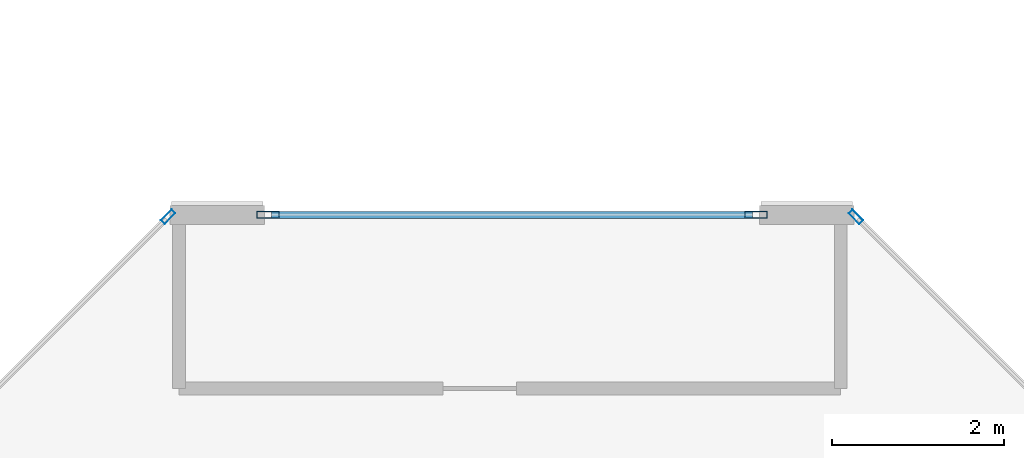
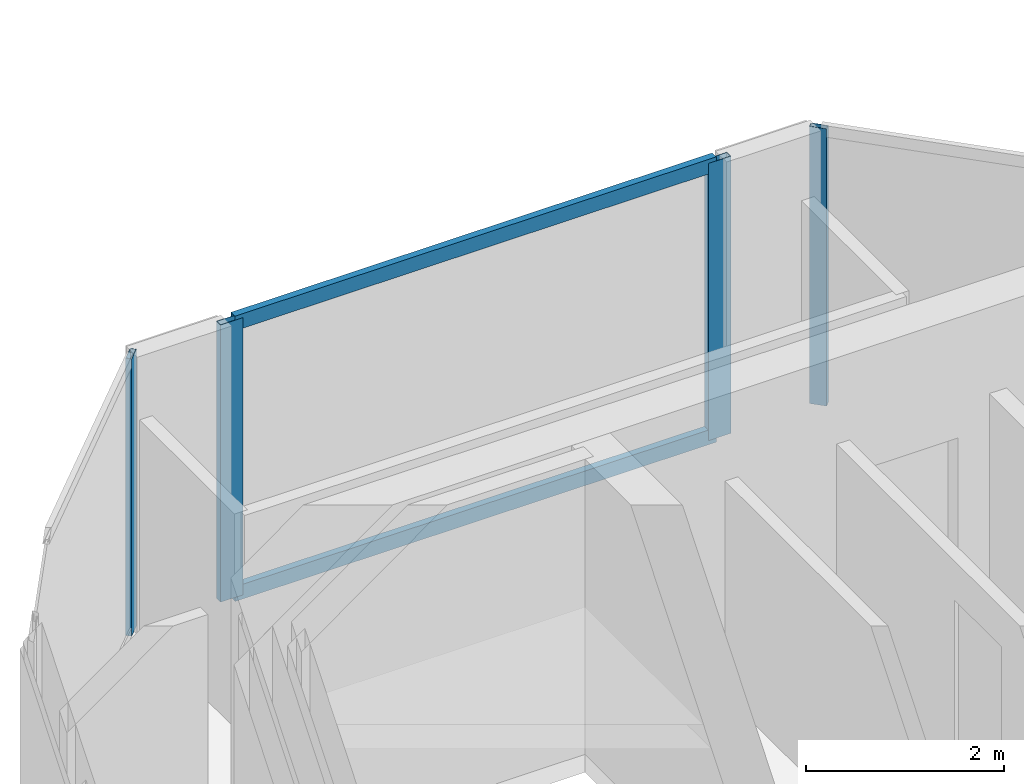
# One storey, part 13 of 30: 6 members, 3 elements without a shape of their own.
"""IFC4 building model written with IfcOpenShell, lengths in metres."""

from ifc_helpers import new_model, si_unit, direction, frame, origin, origin_2d, place, context, subcontext, project, spatial, hollow_rectangle, extrude, material, layer, layer_set, material_profile, profile_set, type_object, element, aggregate, save


model = new_model("IFC4")

# Units and contexts
model_context = context("Model", 3, precision=1e-05, world=origin(), true_north=direction((0.0, 1.0)))
body_context = subcontext(model_context, "Body", "Model", "MODEL_VIEW")
ifc_project = project(units=[si_unit("LENGTHUNIT", "METRE"), si_unit("AREAUNIT", "SQUARE_METRE"), si_unit("VOLUMEUNIT", "CUBIC_METRE"), si_unit("PLANEANGLEUNIT", "RADIAN"), si_unit("MASSUNIT", "GRAM", prefix="KILO")], contexts=[model_context])

# Site, building, storey
site_placement = place(None, origin())
site = spatial("IfcSite", under=ifc_project, at=site_placement, CompositionType="ELEMENT")
building_placement = place(site_placement, origin())
building = spatial("IfcBuilding", under=site, at=building_placement, Name="Tanjung Sevakor Pilgrim Tower", CompositionType="ELEMENT")
storey_placement = place(building_placement, frame((0.0, 0.0, 253.43994140625)))
storey = spatial("IfcBuildingStorey", under=building, at=storey_placement, Name="L71", CompositionType="ELEMENT", Elevation=253.43994140625)

# Curtain wall, member
ifc_material_1 = material(Name="Aluminium 6063-T6 and Low-E Glass", Category="aluminium")
ifc_layer_1 = layer(ifc_material_1, 0.179931640625)
ifc_layer_set_1 = layer_set([ifc_layer_1], Name="CW-SYS-CHAM")
curtain_wall_type_1 = type_object("IfcCurtainWallType", Name="CW-SYS-CHAM", PredefinedType="NOTDEFINED", material=ifc_layer_set_1)
curtain_wall_1_placement = place(storey_placement, origin())
curtain_wall_1 = element("IfcCurtainWall", 1, at=curtain_wall_1_placement, inside=storey, type_object=curtain_wall_type_1, Name="L71 Curtain Wall CW-CHM-L71-WEST-3", PredefinedType="NOTDEFINED")
ifc_material_2 = material(Name="Aluminium 6063-T6", Category="aluminium")
ifc_material_profile_1 = material_profile(ifc_material_2, hollow_rectangle(XDim=0.06494140625, YDim=0.179931640625, WallThickness=0.00390625, at=origin_2d()))
ifc_profile_set_1 = profile_set([ifc_material_profile_1], Name="Aluminium 6063-T6")
member_type_1 = type_object("IfcMemberType", Name="TYPE-CWM-1", PredefinedType="MULLION", material=ifc_profile_set_1)
member_1_placement = place(storey_placement, frame((32.827392578125, 46.26708984375, 0.0), z_axis=(0.0, 0.0, 1.0), x_axis=(-0.707106781187, -0.707106781187, 0.0)))
member_1 = element("IfcMember", 2, at=member_1_placement, type_object=member_type_1, Name="CW-CHM mullion 2", PredefinedType="MULLION", context=body_context, shape_type="SweptSolid", body=[
    extrude(hollow_rectangle(XDim=0.06494140625, YDim=0.179931640625, WallThickness=0.00390625, at=origin_2d()), origin(), (0.0, 0.0, 1.0), 3.41015625),
])
aggregate(curtain_wall_1, [member_1])

curtain_wall_2_placement = place(storey_placement, origin())
curtain_wall_2 = element("IfcCurtainWall", 3, at=curtain_wall_2_placement, inside=storey, type_object=curtain_wall_type_1, Name="L71 Curtain Wall CW-CHM-L71-WEST-5", PredefinedType="NOTDEFINED")
member_2_placement = place(storey_placement, frame((24.822509765625, 46.26708984375, 0.0), z_axis=(0.0, 0.0, 1.0), x_axis=(0.707106781187, -0.707106781187, 0.0)))
member_2 = element("IfcMember", 4, at=member_2_placement, type_object=member_type_1, Name="CW-CHM mullion 1", PredefinedType="MULLION", context=body_context, shape_type="SweptSolid", body=[
    extrude(hollow_rectangle(XDim=0.06494140625, YDim=0.179931640625, WallThickness=0.00390625, at=origin_2d()), origin(), (0.0, 0.0, 1.0), 3.41015625),
])
aggregate(curtain_wall_2, [member_2])

# Curtain wall, members
ifc_material_3 = material(Name="Aluminium 6063-T6 and Low-E Glass", Category="aluminium")
ifc_layer_2 = layer(ifc_material_3, 0.199951171875)
ifc_layer_set_2 = layer_set([ifc_layer_2], Name="CW-SYS-CRNW")
curtain_wall_type_2 = type_object("IfcCurtainWallType", Name="CW-SYS-CRNW", PredefinedType="NOTDEFINED", material=ifc_layer_set_2)
curtain_wall_3_placement = place(storey_placement, origin())
curtain_wall_3 = element("IfcCurtainWall", 5, at=curtain_wall_3_placement, inside=storey, type_object=curtain_wall_type_2, Name="L71 Curtain Wall CW-CRN-L71-WEST-4-1", PredefinedType="NOTDEFINED")
ifc_material_4 = material(Name="Aluminium 6063-T6", Category="aluminium")
ifc_material_profile_2 = material_profile(ifc_material_4, hollow_rectangle(XDim=0.080078125, YDim=0.260009765625, WallThickness=0.0048828125, at=origin_2d()))
ifc_profile_set_2 = profile_set([ifc_material_profile_2], Name="Aluminium 6063-T6")
member_type_2 = type_object("IfcMemberType", Name="TYPE-CWM-3", PredefinedType="MULLION", material=ifc_profile_set_2)
member_3_placement = place(storey_placement, frame((31.664306640625, 46.2900390625, 0.0), z_axis=(0.0, 0.0, 1.0), x_axis=(0.0, -1.0, 0.0)))
member_3 = element("IfcMember", 6, at=member_3_placement, type_object=member_type_2, Name="CW-CRW mullion 1", PredefinedType="MULLION", context=body_context, shape_type="SweptSolid", body=[
    extrude(hollow_rectangle(XDim=0.080078125, YDim=0.260009765625, WallThickness=0.0048828125, at=origin_2d()), origin(), (0.0, 0.0, 1.0), 3.41015625),
])
member_4_placement = place(storey_placement, frame((25.985595703125, 46.2900390625, 0.0), z_axis=(0.0, 0.0, 1.0), x_axis=(0.0, -1.0, 0.0)))
member_4 = element("IfcMember", 7, at=member_4_placement, type_object=member_type_2, Name="CW-CRW mullion 2", PredefinedType="MULLION", context=body_context, shape_type="SweptSolid", body=[
    extrude(hollow_rectangle(XDim=0.080078125, YDim=0.260009765625, WallThickness=0.0048828125, at=origin_2d()), origin(), (0.0, 0.0, 1.0), 3.41015625),
])
ifc_material_5 = material(Name="Aluminium 6063-T6", Category="aluminium")
ifc_material_profile_3 = material_profile(ifc_material_5, hollow_rectangle(XDim=0.080078125, YDim=0.179931640625, WallThickness=0.0048828125, at=origin_2d()))
ifc_profile_set_3 = profile_set([ifc_material_profile_3], Name="Aluminium 6063-T6")
member_type_3 = type_object("IfcMemberType", Name="TYPE-CWT-3", PredefinedType="USERDEFINED", material=ifc_profile_set_3)
member_5_placement = place(storey_placement, frame((31.62451171875, 46.2900390625, 0.0400390625), z_axis=(-1.0, 0.0, 0.0), x_axis=(0.0, -1.0, 0.0)))
member_5 = element("IfcMember", 8, at=member_5_placement, type_object=member_type_3, Name="CW-CRW transom 1.1", ObjectType="TRANSOM", PredefinedType="USERDEFINED", context=body_context, shape_type="SweptSolid", body=[
    extrude(hollow_rectangle(XDim=0.080078125, YDim=0.179931640625, WallThickness=0.0048828125, at=origin_2d()), origin(), (0.0, 0.0, 1.0), 5.598876953125),
])
member_6_placement = place(storey_placement, frame((31.62451171875, 46.2900390625, 3.3701171875), z_axis=(-1.0, 0.0, 0.0), x_axis=(0.0, -1.0, 0.0)))
member_6 = element("IfcMember", 9, at=member_6_placement, type_object=member_type_3, Name="CW-CRW transom 1.2", ObjectType="TRANSOM", PredefinedType="USERDEFINED", context=body_context, shape_type="SweptSolid", body=[
    extrude(hollow_rectangle(XDim=0.080078125, YDim=0.179931640625, WallThickness=0.0048828125, at=origin_2d()), origin(), (0.0, 0.0, 1.0), 5.598876953125),
])
aggregate(curtain_wall_3, [member_3, member_4, member_5, member_6])

save(model, "model.ifc")
